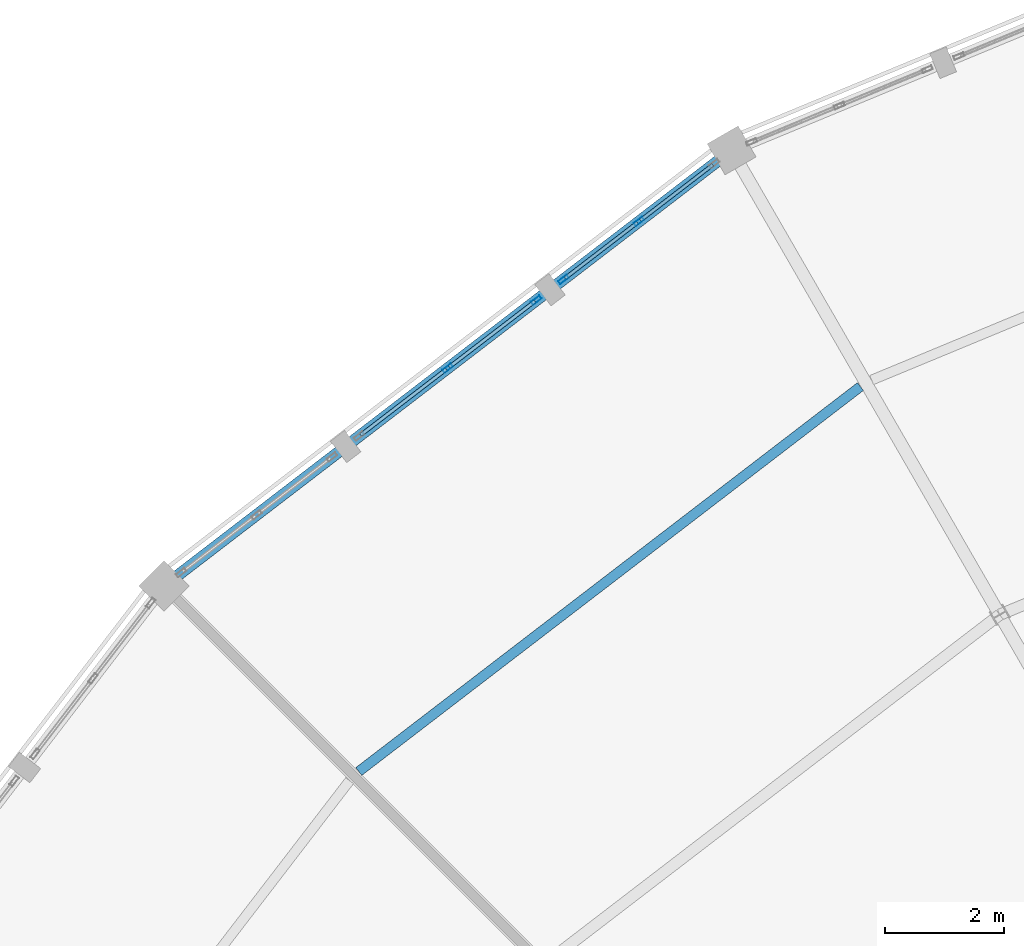
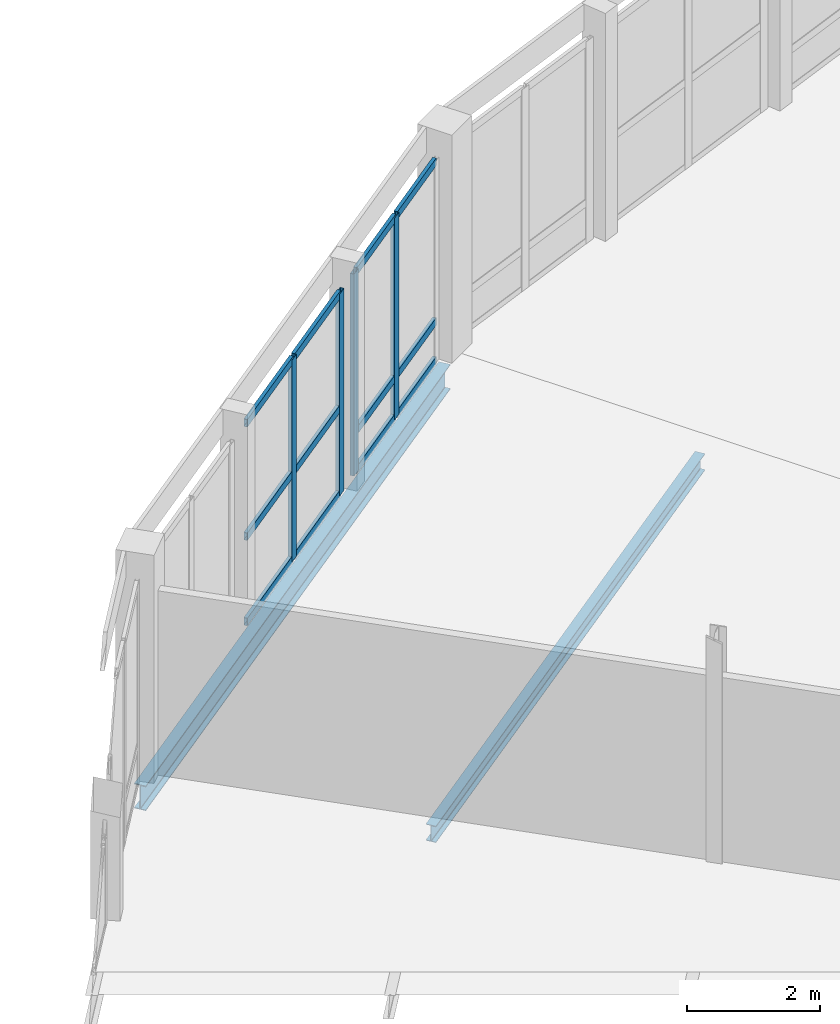
# One storey, part 83 of 185: 16 members, 2 beams, 2 elements without a shape of their own.
"""IFC4 building model written with IfcOpenShell, lengths in metres."""

from ifc_helpers import new_model, si_unit, direction, frame, origin, origin_2d, place, context, subcontext, project, spatial, hollow_rectangle, i_section, extrude, material, material_profile, profile_set, type_object, element, aggregate, save


model = new_model("IFC4")

# Units and contexts
model_context = context("Model", 3, precision=1e-05, world=origin(), true_north=direction((0.0, 1.0)))
body_context = subcontext(model_context, "Body", "Model", "MODEL_VIEW")
ifc_project = project(units=[si_unit("LENGTHUNIT", "METRE"), si_unit("AREAUNIT", "SQUARE_METRE"), si_unit("VOLUMEUNIT", "CUBIC_METRE"), si_unit("PLANEANGLEUNIT", "RADIAN"), si_unit("MASSUNIT", "GRAM", prefix="KILO")], contexts=[model_context])

# Site, building, storey
site_placement = place(None, origin())
site = spatial("IfcSite", under=ifc_project, at=site_placement, CompositionType="ELEMENT")
building_placement = place(site_placement, origin())
building = spatial("IfcBuilding", under=site, at=building_placement, Name="Vondelvale Polytechnic", CompositionType="ELEMENT")
storey_placement = place(building_placement, frame((0.0, 0.0, 9.60009765625)))
storey = spatial("IfcBuildingStorey", under=building, at=storey_placement, Name="L02", CompositionType="ELEMENT", Elevation=9.60009765625)

# Beam
ifc_material_1 = material(Name="Steel 300PLUS (fy = 300 MPa)", Category="steel")
ifc_material_profile_1 = material_profile(ifc_material_1, i_section(OverallWidth=0.18994140625, OverallDepth=0.45703125, WebThickness=0.009033203125, FlangeThickness=0.014404296875, FilletRadius=0.011474609375, at=origin_2d()), Name="460UB74.6")
ifc_profile_set_1 = profile_set([ifc_material_profile_1], Name="Steel 300PLUS (fy = 300 MPa)")
beam_type_1 = type_object("IfcBeamType", Name="BM-UB460", PredefinedType="BEAM", material=ifc_profile_set_1)
beam_1_placement = place(storey_placement, frame((79.0, 111.837158203125, -0.508544921875), z_axis=(-0.793349743808, -0.608766116008, 0.0), x_axis=(0.608766116008, -0.793349743808, 0.0)))
element("IfcBeam", 1, at=beam_1_placement, inside=storey, type_object=beam_type_1, Name="L02 RB B-13", PredefinedType="BEAM", context=body_context, shape_type="SweptSolid", body=[
    extrude(i_section(OverallWidth=0.18994140625, OverallDepth=0.45703125, WebThickness=0.009033203125, FlangeThickness=0.014404296875, FilletRadius=0.011474609375, at=origin_2d()), origin(), (0.0, 0.0, 1.0), 12.00830078125),
])

# Curtain wall, members
ifc_material_2 = material(Name="Glulam GL18 structural Tasmanian oak (fb = 42 MPa)", Category="wood")
curtain_wall_type = type_object("IfcCurtainWallType", Name="CW-RING-OUTER", PredefinedType="NOTDEFINED", material=ifc_material_2)
curtain_wall_1_placement = place(storey_placement, origin())
curtain_wall_1 = element("IfcCurtainWall", 2, at=curtain_wall_1_placement, inside=storey, type_object=curtain_wall_type, Name="L02 architectural curtain wall CW-04-199", PredefinedType="NOTDEFINED")
ifc_material_3 = material(Name="Anodised extruded aluminium 6063-T6", Category="aluminium")
ifc_material_profile_2 = material_profile(ifc_material_3, hollow_rectangle(XDim=0.06494140625, YDim=0.179931640625, WallThickness=0.00390625, at=origin_2d()), Name="CW-MUL-180x65")
ifc_profile_set_2 = profile_set([ifc_material_profile_2], Name="Anodised extruded aluminium 6063-T6")
member_type_1 = type_object("IfcMemberType", Name="CW-MUL-65x180", PredefinedType="MULLION", material=ifc_profile_set_2)
member_1_placement = place(storey_placement, frame((77.44482421875, 110.643798828125, 0.0), z_axis=(0.0, 0.0, 1.0), x_axis=(0.608786860133, -0.793333825656, 0.0)))
member_1 = element("IfcMember", 3, at=member_1_placement, type_object=member_type_1, Name="CW-04-199 mullion 2", PredefinedType="MULLION", context=body_context, shape_type="SweptSolid", body=[
    extrude(hollow_rectangle(XDim=0.06494140625, YDim=0.179931640625, WallThickness=0.00390625, at=origin_2d()), origin(), (0.0, 0.0, 1.0), 3.719970703125),
])
member_2_placement = place(storey_placement, frame((76.179443359375, 109.6728515625, 0.0), z_axis=(0.0, 0.0, 1.0), x_axis=(0.608786860133, -0.793333825656, 0.0)))
member_2 = element("IfcMember", 4, at=member_2_placement, type_object=member_type_1, Name="CW-04-199 mullion 3", PredefinedType="MULLION", context=body_context, shape_type="SweptSolid", body=[
    extrude(hollow_rectangle(XDim=0.06494140625, YDim=0.179931640625, WallThickness=0.00390625, at=origin_2d()), origin(), (0.0, 0.0, 1.0), 3.719970703125),
])

curtain_wall_2_placement = place(storey_placement, origin())
curtain_wall_2 = element("IfcCurtainWall", 5, at=curtain_wall_2_placement, inside=storey, type_object=curtain_wall_type, Name="L02 architectural curtain wall CW-04-200", PredefinedType="NOTDEFINED")
member_3_placement = place(storey_placement, frame((75.723388671875, 109.322998046875, 0.0), z_axis=(0.0, 0.0, 1.0), x_axis=(0.608771189063, -0.793345851043, 0.0)))
member_3 = element("IfcMember", 6, at=member_3_placement, type_object=member_type_1, Name="CW-04-200 mullion 1", PredefinedType="MULLION", context=body_context, shape_type="SweptSolid", body=[
    extrude(hollow_rectangle(XDim=0.06494140625, YDim=0.179931640625, WallThickness=0.00390625, at=origin_2d()), origin(), (0.0, 0.0, 1.0), 3.719970703125),
])
member_4_placement = place(storey_placement, frame((74.236572265625, 108.18212890625, 0.0), z_axis=(0.0, 0.0, 1.0), x_axis=(0.608771189063, -0.793345851043, 0.0)))
member_4 = element("IfcMember", 7, at=member_4_placement, type_object=member_type_1, Name="CW-04-200 mullion 2", PredefinedType="MULLION", context=body_context, shape_type="SweptSolid", body=[
    extrude(hollow_rectangle(XDim=0.06494140625, YDim=0.179931640625, WallThickness=0.00390625, at=origin_2d()), origin(), (0.0, 0.0, 1.0), 3.719970703125),
])

# Member
ifc_material_profile_3 = material_profile(ifc_material_3, hollow_rectangle(XDim=0.06005859375, YDim=0.139892578125, WallThickness=0.00341796875, at=origin_2d()), Name="CW-TRN-140x60")
ifc_profile_set_3 = profile_set([ifc_material_profile_3], Name="Anodised extruded aluminium 6063-T6")
member_type_2 = type_object("IfcMemberType", Name="CW-TRN-60x140", PredefinedType="USERDEFINED", material=ifc_profile_set_3)
member_5_placement = place(storey_placement, frame((78.684326171875, 111.59521484375, 0.02978515625), z_axis=(-0.7932286645, -0.608923875222, 0.0), x_axis=(0.608923875222, -0.7932286645, 0.0)))
member_5 = element("IfcMember", 8, at=member_5_placement, type_object=member_type_2, Name="CW-04-199 transom 1.1", ObjectType="TRANSOM", PredefinedType="USERDEFINED", context=body_context, shape_type="SweptSolid", body=[
    extrude(hollow_rectangle(XDim=0.06005859375, YDim=0.139892578125, WallThickness=0.00341796875, at=origin_2d()), origin(), (0.0, 0.0, 1.0), 1.530029296875),
])

member_6_placement = place(storey_placement, frame((78.684326171875, 111.59521484375, 0.75), z_axis=(-0.7932286645, -0.608923875222, 0.0), x_axis=(0.608923875222, -0.7932286645, 0.0)))
member_6 = element("IfcMember", 9, at=member_6_placement, type_object=member_type_2, Name="CW-04-199 transom 1.2", ObjectType="TRANSOM", PredefinedType="USERDEFINED", context=body_context, shape_type="SweptSolid", body=[
    extrude(hollow_rectangle(XDim=0.06005859375, YDim=0.139892578125, WallThickness=0.00341796875, at=origin_2d()), origin(), (0.0, 0.0, 1.0), 1.530029296875),
])

member_7_placement = place(storey_placement, frame((78.684326171875, 111.59521484375, 3.68994140625), z_axis=(-0.7932286645, -0.608923875222, 0.0), x_axis=(0.608923875222, -0.7932286645, 0.0)))
member_7 = element("IfcMember", 10, at=member_7_placement, type_object=member_type_2, Name="CW-04-199 transom 1.3", ObjectType="TRANSOM", PredefinedType="USERDEFINED", context=body_context, shape_type="SweptSolid", body=[
    extrude(hollow_rectangle(XDim=0.06005859375, YDim=0.139892578125, WallThickness=0.00341796875, at=origin_2d()), origin(), (0.0, 0.0, 1.0), 1.530029296875),
])

member_8_placement = place(storey_placement, frame((77.4189453125, 110.6240234375, 0.02978515625), z_axis=(-0.793305741078, -0.60882345649, 0.0), x_axis=(0.60882345649, -0.793305741078, 0.0)))
member_8 = element("IfcMember", 11, at=member_8_placement, type_object=member_type_2, Name="CW-04-199 transom 2.1", ObjectType="TRANSOM", PredefinedType="USERDEFINED", context=body_context, shape_type="SweptSolid", body=[
    extrude(hollow_rectangle(XDim=0.06005859375, YDim=0.139892578125, WallThickness=0.00341796875, at=origin_2d()), origin(), (0.0, 0.0, 1.0), 1.52978515625),
])

member_9_placement = place(storey_placement, frame((77.4189453125, 110.6240234375, 0.75), z_axis=(-0.793305741078, -0.60882345649, 0.0), x_axis=(0.60882345649, -0.793305741078, 0.0)))
member_9 = element("IfcMember", 12, at=member_9_placement, type_object=member_type_2, Name="CW-04-199 transom 2.2", ObjectType="TRANSOM", PredefinedType="USERDEFINED", context=body_context, shape_type="SweptSolid", body=[
    extrude(hollow_rectangle(XDim=0.06005859375, YDim=0.139892578125, WallThickness=0.00341796875, at=origin_2d()), origin(), (0.0, 0.0, 1.0), 1.52978515625),
])

member_10_placement = place(storey_placement, frame((77.4189453125, 110.6240234375, 3.68994140625), z_axis=(-0.793305741078, -0.60882345649, 0.0), x_axis=(0.60882345649, -0.793305741078, 0.0)))
member_10 = element("IfcMember", 13, at=member_10_placement, type_object=member_type_2, Name="CW-04-199 transom 2.3", ObjectType="TRANSOM", PredefinedType="USERDEFINED", context=body_context, shape_type="SweptSolid", body=[
    extrude(hollow_rectangle(XDim=0.06005859375, YDim=0.139892578125, WallThickness=0.00341796875, at=origin_2d()), origin(), (0.0, 0.0, 1.0), 1.52978515625),
])

aggregate(curtain_wall_1, [member_1, member_2, member_5, member_6, member_7, member_8, member_9, member_10])

member_11_placement = place(storey_placement, frame((75.697509765625, 109.30322265625, 0.02978515625), z_axis=(-0.793310842007, -0.608816809849, 0.0), x_axis=(0.608816809849, -0.793310842007, 0.0)))
member_11 = element("IfcMember", 14, at=member_11_placement, type_object=member_type_2, Name="CW-04-200 transom 1.1", ObjectType="TRANSOM", PredefinedType="USERDEFINED", context=body_context, shape_type="SweptSolid", body=[
    extrude(hollow_rectangle(XDim=0.06005859375, YDim=0.139892578125, WallThickness=0.00341796875, at=origin_2d()), origin(), (0.0, 0.0, 1.0), 1.808837890625),
])

member_12_placement = place(storey_placement, frame((75.697509765625, 109.30322265625, 1.599853515625), z_axis=(-0.793310842007, -0.608816809849, 0.0), x_axis=(0.608816809849, -0.793310842007, 0.0)))
member_12 = element("IfcMember", 15, at=member_12_placement, type_object=member_type_2, Name="CW-04-200 transom 1.2", ObjectType="TRANSOM", PredefinedType="USERDEFINED", context=body_context, shape_type="SweptSolid", body=[
    extrude(hollow_rectangle(XDim=0.06005859375, YDim=0.139892578125, WallThickness=0.00341796875, at=origin_2d()), origin(), (0.0, 0.0, 1.0), 1.808837890625),
])

member_13_placement = place(storey_placement, frame((75.697509765625, 109.30322265625, 3.68994140625), z_axis=(-0.793310842007, -0.608816809849, 0.0), x_axis=(0.608816809849, -0.793310842007, 0.0)))
member_13 = element("IfcMember", 16, at=member_13_placement, type_object=member_type_2, Name="CW-04-200 transom 1.3", ObjectType="TRANSOM", PredefinedType="USERDEFINED", context=body_context, shape_type="SweptSolid", body=[
    extrude(hollow_rectangle(XDim=0.06005859375, YDim=0.139892578125, WallThickness=0.00341796875, at=origin_2d()), origin(), (0.0, 0.0, 1.0), 1.808837890625),
])

member_14_placement = place(storey_placement, frame((74.210693359375, 108.162353515625, 0.02978515625), z_axis=(-0.793310842007, -0.608816809849, 0.0), x_axis=(0.608816809849, -0.793310842007, 0.0)))
member_14 = element("IfcMember", 17, at=member_14_placement, type_object=member_type_2, Name="CW-04-200 transom 2.1", ObjectType="TRANSOM", PredefinedType="USERDEFINED", context=body_context, shape_type="SweptSolid", body=[
    extrude(hollow_rectangle(XDim=0.06005859375, YDim=0.139892578125, WallThickness=0.00341796875, at=origin_2d()), origin(), (0.0, 0.0, 1.0), 1.808837890625),
])

member_15_placement = place(storey_placement, frame((74.210693359375, 108.162353515625, 1.599853515625), z_axis=(-0.793310842007, -0.608816809849, 0.0), x_axis=(0.608816809849, -0.793310842007, 0.0)))
member_15 = element("IfcMember", 18, at=member_15_placement, type_object=member_type_2, Name="CW-04-200 transom 2.2", ObjectType="TRANSOM", PredefinedType="USERDEFINED", context=body_context, shape_type="SweptSolid", body=[
    extrude(hollow_rectangle(XDim=0.06005859375, YDim=0.139892578125, WallThickness=0.00341796875, at=origin_2d()), origin(), (0.0, 0.0, 1.0), 1.808837890625),
])

member_16_placement = place(storey_placement, frame((74.210693359375, 108.162353515625, 3.68994140625), z_axis=(-0.793310842007, -0.608816809849, 0.0), x_axis=(0.608816809849, -0.793310842007, 0.0)))
member_16 = element("IfcMember", 19, at=member_16_placement, type_object=member_type_2, Name="CW-04-200 transom 2.3", ObjectType="TRANSOM", PredefinedType="USERDEFINED", context=body_context, shape_type="SweptSolid", body=[
    extrude(hollow_rectangle(XDim=0.06005859375, YDim=0.139892578125, WallThickness=0.00341796875, at=origin_2d()), origin(), (0.0, 0.0, 1.0), 1.808837890625),
])

aggregate(curtain_wall_2, [member_3, member_4, member_11, member_12, member_13, member_14, member_15, member_16])

# Beam
ifc_material_profile_4 = material_profile(ifc_material_1, i_section(OverallWidth=0.1650390625, OverallDepth=0.303955078125, WebThickness=0.006103515625, FlangeThickness=0.01025390625, FilletRadius=0.011474609375, at=origin_2d()), Name="310UB40.4")
ifc_profile_set_4 = profile_set([ifc_material_profile_4], Name="Steel 300PLUS (fy = 300 MPa)")
beam_type_2 = type_object("IfcBeamType", Name="JST-UB310", PredefinedType="JOIST", material=ifc_profile_set_4)
beam_2_placement = place(storey_placement, frame((81.16259765625, 107.873046875, -0.43212890625), z_axis=(-0.793346013368, -0.608770977523, 0.0), x_axis=(0.608770977523, -0.793346013368, 0.0)))
element("IfcBeam", 20, at=beam_2_placement, inside=storey, type_object=beam_type_2, Name="L02 RJ J-05", PredefinedType="JOIST", context=body_context, shape_type="SweptSolid", body=[
    extrude(i_section(OverallWidth=0.1650390625, OverallDepth=0.303955078125, WebThickness=0.006103515625, FlangeThickness=0.01025390625, FilletRadius=0.011474609375, at=origin_2d()), origin(), (0.0, 0.0, 1.0), 10.613525390625),
])

save(model, "model.ifc")
